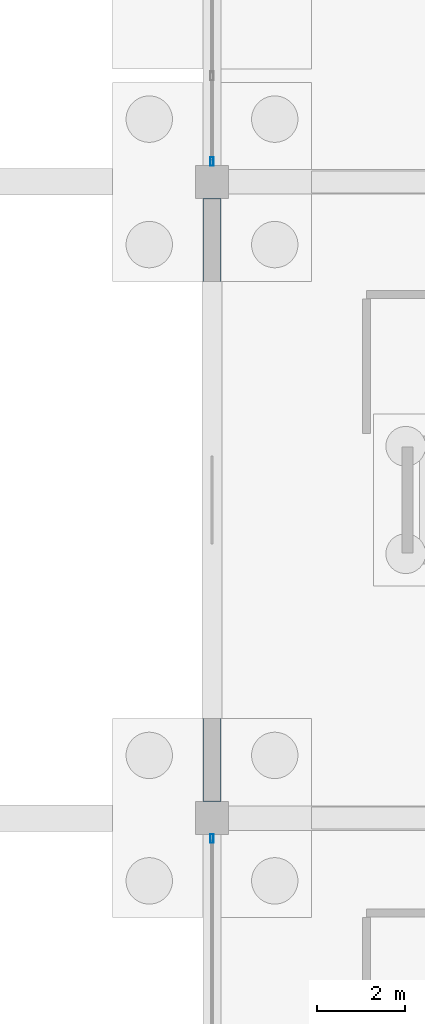
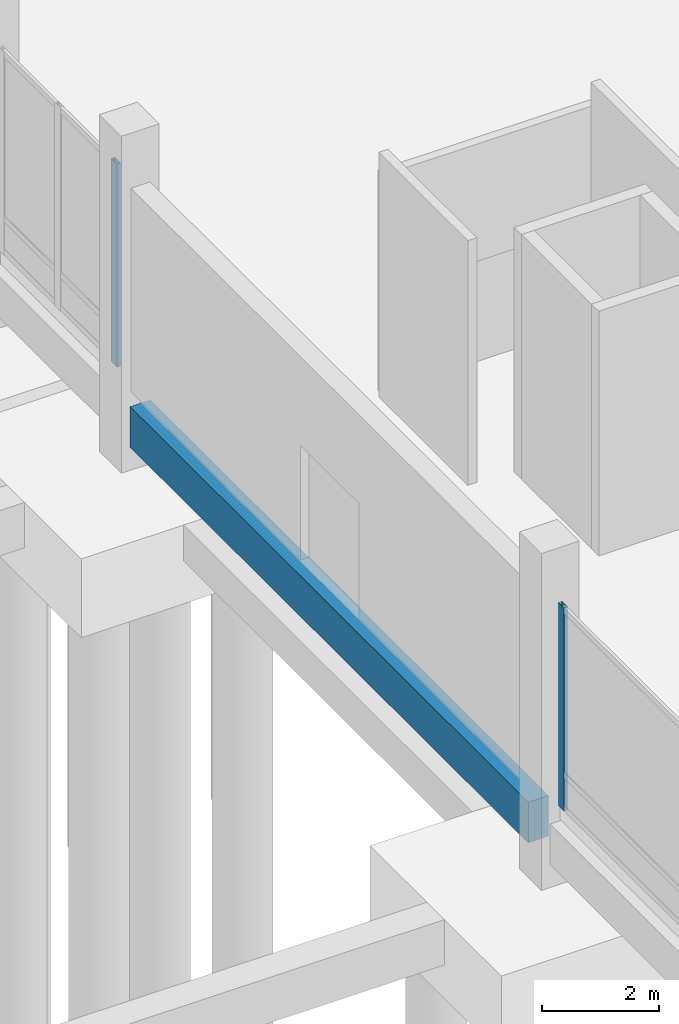
# One storey, part 106 of 192: 2 members, 1 beam, 2 elements without a shape of their own.
"""IFC4 building model written with IfcOpenShell, lengths in metres."""

from ifc_helpers import new_model, si_unit, direction, frame, origin, origin_2d, place, context, subcontext, project, spatial, rectangle, hollow_rectangle, extrude, material, material_profile, profile_set, type_object, element, aggregate, save


model = new_model("IFC4")

# Units and contexts
model_context = context("Model", 3, precision=1e-05, world=origin(), true_north=direction((0.0, 1.0)))
body_context = subcontext(model_context, "Body", "Model", "MODEL_VIEW")
ifc_project = project(units=[si_unit("LENGTHUNIT", "METRE"), si_unit("AREAUNIT", "SQUARE_METRE"), si_unit("VOLUMEUNIT", "CUBIC_METRE"), si_unit("PLANEANGLEUNIT", "RADIAN"), si_unit("MASSUNIT", "GRAM", prefix="KILO")], contexts=[model_context])

# Site, building, storey
site_placement = place(None, origin())
site = spatial("IfcSite", under=ifc_project, at=site_placement, CompositionType="ELEMENT")
building_placement = place(site_placement, origin())
building = spatial("IfcBuilding", under=site, at=building_placement, Name="Cendralis Lancet Convention Centre", CompositionType="ELEMENT")
storey_placement = place(building_placement, origin())
storey = spatial("IfcBuildingStorey", under=building, at=storey_placement, Name="L00", CompositionType="ELEMENT", Elevation=0.0)

# Curtain wall, member
ifc_material_1 = material(Name="Anodised bronze architectural aluminium", Category="aluminium")
curtain_wall_type = type_object("IfcCurtainWallType", Name="ARC-CW-PL01", PredefinedType="USERDEFINED", material=ifc_material_1)
curtain_wall_1_placement = place(storey_placement, origin())
curtain_wall_1 = element("IfcCurtainWall", 1, at=curtain_wall_1_placement, inside=storey, type_object=curtain_wall_type, Name="L00 Curtain Wall CW-PL1 #110", ObjectType="CURTAIN WALL", PredefinedType="USERDEFINED")
ifc_material_profile_1 = material_profile(ifc_material_1, hollow_rectangle(XDim=0.070068359375, YDim=0.199951171875, WallThickness=0.0048828125, at=origin_2d()), Name="AL-MULL 70x200x5.0")
ifc_profile_set_1 = profile_set([ifc_material_profile_1], Name="Anodised bronze architectural aluminium")
member_type = type_object("IfcMemberType", Name="ARC-CW-ML02", PredefinedType="MULLION", material=ifc_profile_set_1)
member_1_placement = place(storey_placement, frame((139.199951171875, 64.340087890625, 0.0), z_axis=(0.0, 0.0, 1.0), x_axis=(1.0, 0.0, 0.0)))
member_1 = element("IfcMember", 2, at=member_1_placement, type_object=member_type, Name="Mullion CW2-CW-PL1-L00-110-M2", PredefinedType="MULLION", context=body_context, shape_type="SweptSolid", body=[
    extrude(hollow_rectangle(XDim=0.070068359375, YDim=0.199951171875, WallThickness=0.0048828125, at=origin_2d()), origin(), (0.0, 0.0, 1.0), 4.2548828125),
])
aggregate(curtain_wall_1, [member_1])

curtain_wall_2_placement = place(storey_placement, origin())
curtain_wall_2 = element("IfcCurtainWall", 3, at=curtain_wall_2_placement, inside=storey, type_object=curtain_wall_type, Name="L00 Curtain Wall CW-PL1 #111", ObjectType="CURTAIN WALL", PredefinedType="USERDEFINED")
member_2_placement = place(storey_placement, frame((139.199951171875, 79.659912109375, 0.0), z_axis=(0.0, 0.0, 1.0), x_axis=(1.0, 0.0, 0.0)))
member_2 = element("IfcMember", 4, at=member_2_placement, type_object=member_type, Name="Mullion CW2-CW-PL1-L00-111-M0", PredefinedType="MULLION", context=body_context, shape_type="SweptSolid", body=[
    extrude(hollow_rectangle(XDim=0.070068359375, YDim=0.199951171875, WallThickness=0.0048828125, at=origin_2d()), origin(), (0.0, 0.0, 1.0), 4.2548828125),
])
aggregate(curtain_wall_2, [member_2])

# Beam
ifc_material_2 = material(Name="Concrete G40 (C40/50)", Category="concrete")
ifc_material_profile_2 = material_profile(ifc_material_2, rectangle(XDim=0.39990234375, YDim=0.85009765625, at=origin_2d()), Name="RCB 400x850")
ifc_profile_set_2 = profile_set([ifc_material_profile_2], Name="Concrete G40 (C40/50)")
beam_type = type_object("IfcBeamType", Name="STR-SP-SP02", PredefinedType="SPANDREL", material=ifc_profile_set_2)
beam_placement = place(storey_placement, frame((139.199951171875, 65.175048828125, -0.7451171875), z_axis=(0.0, 1.0, 0.0), x_axis=(-1.0, 0.0, 0.0)))
element("IfcBeam", 5, at=beam_placement, inside=storey, type_object=beam_type, Name="L00 Beam SP02 #1369", PredefinedType="SPANDREL", context=body_context, shape_type="SweptSolid", body=[
    extrude(rectangle(XDim=0.39990234375, YDim=0.85009765625, at=origin_2d()), origin(), (0.0, 0.0, 1.0), 13.64990234375),
])

save(model, "model.ifc")
